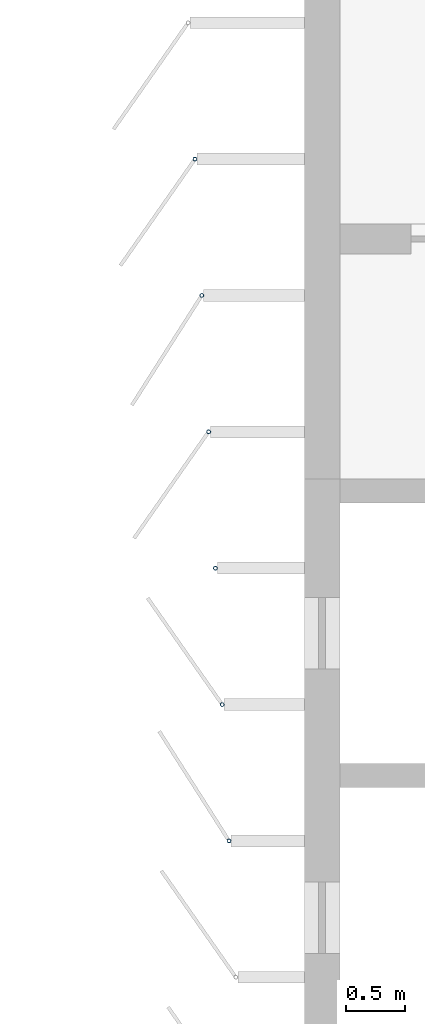
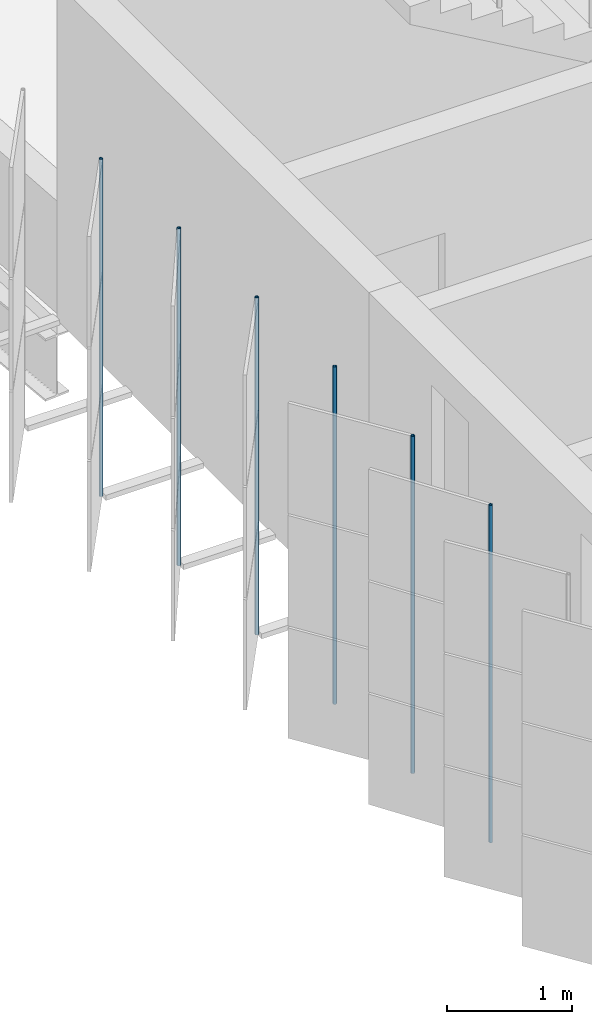
# One storey, part 115 of 214: 6 discrete accessories.
"""IFC4 building model written with IfcOpenShell, lengths in metres."""

import ifcopenshell
import ifcopenshell.guid

model = None  # the IFC model being written
_history = None  # IfcOwnerHistory: only IFC2X3 demands one
_inside = {}  # id of a spatial element -> (the spatial element, [elements in it])
_under = {}  # id of a project, library or spatial element -> (it, [spatial elements below it])
_declared = {}  # id of a project -> (the project, [libraries it declares])
_typed = {}  # id of a type object -> (the type object, [elements of that type])
_made_of = {}  # id of a material, layer set ... -> (it, [elements and type objects made of it])


def new_model(schema):
    """Start an empty IFC model of exactly this schema.

    Asked for "IFC4X3", IfcOpenShell would pick the latest addendum, in which some entities
    have other attributes; the version numbers below select the first issue.
    IFC2X3 requires an IfcOwnerHistory on every rooted entity: one is made here for all.
    """
    global model, _history
    if schema == "IFC4X3":
        model = ifcopenshell.file(schema_version=(4, 3, 0, 0))
    else:
        model = ifcopenshell.file(schema=schema)
    _inside.clear()
    _under.clear()
    _declared.clear()
    _typed.clear()
    _made_of.clear()
    _history = None
    if model.schema == "IFC2X3":
        org = make("IfcOrganization", Name="unknown")
        user = make(
            "IfcPersonAndOrganization",
            ThePerson=make("IfcPerson", FamilyName="unknown"),
            TheOrganization=org,
        )
        app = make(
            "IfcApplication",
            ApplicationDeveloper=org,
            Version="unknown",
            ApplicationFullName="unknown",
            ApplicationIdentifier="unknown",
        )
        _history = make(
            "IfcOwnerHistory",
            OwningUser=user,
            OwningApplication=app,
            ChangeAction="ADDED",
            CreationDate=0,
        )
    return model


def make(cls, **values):
    """One entity of the class cls with the attributes given. An attribute that is None is left unset."""
    return model.create_entity(
        cls, **{name: value for name, value in values.items() if value is not None}
    )


def rooted(cls, **values):
    """An entity with a GlobalId (a new one), such as an element, a storey or a relation."""
    return make(cls, GlobalId=ifcopenshell.guid.new(), OwnerHistory=_history, **values)


def si_unit(unit_type, name, prefix=None):
    """IfcSIUnit, for example si_unit("LENGTHUNIT", "METRE", prefix="MILLI")."""
    return make("IfcSIUnit", UnitType=unit_type, Prefix=prefix, Name=name)


def assignment(units):
    """IfcUnitAssignment: the units of a project."""
    return None if units is None else make("IfcUnitAssignment", Units=units)


def point(xyz):
    """IfcCartesianPoint."""
    return None if xyz is None else make("IfcCartesianPoint", Coordinates=xyz)


def direction(xyz):
    """IfcDirection."""
    return None if xyz is None else make("IfcDirection", DirectionRatios=xyz)


def frame(location, z_axis=None, x_axis=None):
    """IfcAxis2Placement3D, a coordinate frame: its origin and axes. An axis left out is left unset."""
    return make(
        "IfcAxis2Placement3D",
        Location=point(location),
        Axis=direction(z_axis),
        RefDirection=direction(x_axis),
    )


def frame_2d(location, x_axis=None):
    """IfcAxis2Placement2D, a coordinate frame in the plane: its origin and x axis."""
    return make(
        "IfcAxis2Placement2D", Location=point(location), RefDirection=direction(x_axis)
    )


def origin():
    """The frame at (0, 0, 0) with its axes left unset."""
    return frame((0.0, 0.0, 0.0))


def origin_2d():
    """The frame at (0, 0) in the plane with its x axis left unset."""
    return frame_2d((0.0, 0.0))


def place(relative_to, where):
    """IfcLocalPlacement: puts the frame where relative to a parent placement (None: the world)."""
    return make(
        "IfcLocalPlacement", PlacementRelTo=relative_to, RelativePlacement=where
    )


def context(
    kind, dimensions, precision=None, world=None, true_north=None, identifier=None
):
    """IfcGeometricRepresentationContext, for example the 3D "Model" context."""
    return make(
        "IfcGeometricRepresentationContext",
        ContextIdentifier=identifier,
        ContextType=kind,
        CoordinateSpaceDimension=dimensions,
        Precision=precision,
        WorldCoordinateSystem=world,
        TrueNorth=true_north,
    )


def subcontext(parent, identifier, kind, view, scale=None):
    """IfcGeometricRepresentationSubContext, for example "Body" below "Model"."""
    return make(
        "IfcGeometricRepresentationSubContext",
        ContextIdentifier=identifier,
        ContextType=kind,
        ParentContext=parent,
        TargetScale=scale,
        TargetView=view,
    )


def project(units=None, contexts=None):
    """IfcProject with its units and contexts."""
    return rooted(
        "IfcProject",
        Name="project",
        RepresentationContexts=contexts,
        UnitsInContext=assignment(units),
    )


def spatial(cls, under=None, at=None, **own):
    """A site, building, storey or space (cls), placed at a placement, below another one or the project."""
    s = rooted(cls, ObjectPlacement=at, **own)
    if under is not None:
        _under.setdefault(under.id(), (under, []))[1].append(s)
    return s


def profile(cls, at=None, kind="AREA", **sizes):
    """A parametric profile (cls). Its sizes go by their IFC names, for example OverallWidth=200.0."""
    return make(cls, ProfileType=kind, Position=at, **sizes)


def hollow_circle(**sizes):
    """IfcCircleHollowProfileDef."""
    return profile("IfcCircleHollowProfileDef", **sizes)


def extrude(swept, where, along, depth):
    """IfcExtrudedAreaSolid: the profile swept, set in the frame where, extruded along a direction by depth."""
    return make(
        "IfcExtrudedAreaSolid",
        SweptArea=swept,
        Position=where,
        ExtrudedDirection=direction(along),
        Depth=depth,
    )


def shape(context_of_items, identifier, shape_type, items):
    """IfcShapeRepresentation: the items that make up one representation, for example the "Body"."""
    return make(
        "IfcShapeRepresentation",
        ContextOfItems=context_of_items,
        RepresentationIdentifier=identifier,
        RepresentationType=shape_type,
        Items=items,
    )


def material(Name=None, Category=None):
    """IfcMaterial."""
    return make("IfcMaterial", Name=Name, Category=Category)


def material_profile(
    of_material, cross_section, Name=None, Category=None, Priority=None
):
    """IfcMaterialProfile: a cross section and its material."""
    return make(
        "IfcMaterialProfile",
        Name=Name,
        Material=of_material,
        Profile=cross_section,
        Priority=Priority,
        Category=Category,
    )


def profile_set(profiles, Name=None, composite=None):
    """IfcMaterialProfileSet."""
    return make(
        "IfcMaterialProfileSet",
        Name=Name,
        MaterialProfiles=profiles,
        CompositeProfile=composite,
    )


def made_of(thing, what):
    """Note that an element or type object is made of a material, layer set ...; save() writes the relation."""
    if what is not None:
        _made_of.setdefault(what.id(), (what, []))[1].append(thing)
    return thing


def type_object(cls, material=None, **own):
    """A type object (cls), such as IfcWallType, which elements share."""
    return made_of(rooted(cls, **own), material)


def element(
    cls,
    number,
    at=None,
    inside=None,
    cuts=None,
    type_object=None,
    material=None,
    context=None,
    identifier="Body",
    shape_type=None,
    held_by="IfcProductDefinitionShape",
    body=None,
    shapes=None,
    **own,
):
    """One element of the class cls, such as IfcWall. Its Tag is "e" and its number.

    at: its placement. inside: the storey or other place that contains it. cuts: it is an
    opening in that element (IfcRelVoidsElement). A single representation is given by context,
    identifier, shape_type and body (its items); several are given by shapes. held_by: the class
    of the entity that holds the representations. save() writes the other relations.
    """
    e = rooted(cls, Tag="e%d" % number, ObjectPlacement=at, **own)
    if body is not None:
        shapes = [shape(context, identifier, shape_type, body)]
    if shapes is not None:
        e.Representation = make(held_by, Representations=shapes)
    if inside is not None:
        _inside.setdefault(inside.id(), (inside, []))[1].append(e)
    if cuts is not None:
        rooted(
            "IfcRelVoidsElement", RelatingBuildingElement=cuts, RelatedOpeningElement=e
        )
    if type_object is not None:
        _typed.setdefault(type_object.id(), (type_object, []))[1].append(e)
    return made_of(e, material)


def aggregate(whole, parts):
    """IfcRelAggregates: a whole, such as a stair, and the parts it consists of."""
    return rooted("IfcRelAggregates", RelatingObject=whole, RelatedObjects=parts)


def save(model, path):
    """Write the relations noted so far, then the file.

    IfcRelAggregates (storeys below a building ...), IfcRelContainedInSpatialStructure (elements
    in a storey), IfcRelDefinesByType, IfcRelAssociatesMaterial and IfcRelDeclares: one each for
    every whole, place, type object, material and project.
    """
    for whole, parts in _under.values():
        aggregate(whole, parts)
    for where, things in _inside.values():
        rooted(
            "IfcRelContainedInSpatialStructure",
            RelatedElements=things,
            RelatingStructure=where,
        )
    for kind, things in _typed.values():
        rooted("IfcRelDefinesByType", RelatedObjects=things, RelatingType=kind)
    for what, things in _made_of.values():
        rooted("IfcRelAssociatesMaterial", RelatedObjects=things, RelatingMaterial=what)
    for by, libraries in _declared.values():
        rooted("IfcRelDeclares", RelatingContext=by, RelatedDefinitions=libraries)
    model.write(path)


model = new_model("IFC4")

# Units and contexts
model_context = context("Model", 3, precision=1e-05, world=origin(), true_north=direction((0.0, 1.0)))
body_context = subcontext(model_context, "Body", "Model", "MODEL_VIEW")
ifc_project = project(units=[si_unit("LENGTHUNIT", "METRE"), si_unit("AREAUNIT", "SQUARE_METRE"), si_unit("VOLUMEUNIT", "CUBIC_METRE"), si_unit("PLANEANGLEUNIT", "RADIAN"), si_unit("MASSUNIT", "GRAM", prefix="KILO")], contexts=[model_context])

# Site, building, storey
site_placement = place(None, origin())
site = spatial("IfcSite", under=ifc_project, at=site_placement, CompositionType="ELEMENT")
building_placement = place(site_placement, origin())
building = spatial("IfcBuilding", under=site, at=building_placement, Name="Parallax Yard Mobility Hub", CompositionType="ELEMENT")
storey_placement = place(building_placement, frame((0.0, 0.0, 3.300048828125)))
storey = spatial("IfcBuildingStorey", under=building, at=storey_placement, Name="L01", CompositionType="ELEMENT", Elevation=3.300048828125)

# Discrete accessories
ifc_material = material(Name="Steel ASTM A500 Gr C, hot-dip galvanised", Category="steel")
ifc_material_profile = material_profile(ifc_material, hollow_circle(Radius=0.016845703125, WallThickness=0.003173828125, at=origin_2d()), Name="CHS 33.7x3.2")
ifc_profile_set = profile_set([ifc_material_profile], Name="Steel ASTM A500 Gr C, hot-dip galvanised")
discrete_accessory_type = type_object("IfcDiscreteAccessoryType", Name="Hinge post CHS 33.7x3.2", PredefinedType="BRACKET", material=ifc_profile_set)
for number, where, z_axis, x_axis, name in (
    (1, (194.077392578125, 87.69921875, 0.0), (0.0, 0.0, 1.0), (1.0, 0.0, 0.0), "Hinge post bay 23.3 level L01"),
    (2, (194.134765625, 86.549072265625, 0.0), (0.0, 0.0, 1.0), (1.0, 0.0, 0.0), "Hinge post bay 23.4 level L01"),
    (3, (194.1923828125, 85.39892578125, 0.0), (0.0, 0.0, 1.0), (1.0, 0.0, 0.0), "Hinge post bay 23.5 level L01"),
    (4, (194.249755859375, 84.248779296875, 0.0), (0.0, 0.0, 1.0), (1.0, 0.0, 0.0), "Hinge post bay 23.6 level L01"),
    (5, (194.307373046875, 83.098388671875, 0.0), (0.0, 0.0, 1.0), (1.0, 0.0, 0.0), "Hinge post bay 23.7 level L01"),
    (6, (194.36474609375, 81.948486328125, 0.0), (0.0, 0.0, 1.0), (1.0, 0.0, 0.0), "Hinge post bay 23.8 level L01"),
):
    element("IfcDiscreteAccessory", number, at=place(storey_placement, frame(where, z_axis=z_axis, x_axis=x_axis)), inside=storey, type_object=discrete_accessory_type, Name=name, PredefinedType="BRACKET", context=body_context, shape_type="SweptSolid", body=[
        extrude(hollow_circle(Radius=0.016845703125, WallThickness=0.003173828125, at=origin_2d()), origin(), (0.0, 0.0, 1.0), 3.300048828125),
    ])

save(model, "model.ifc")
